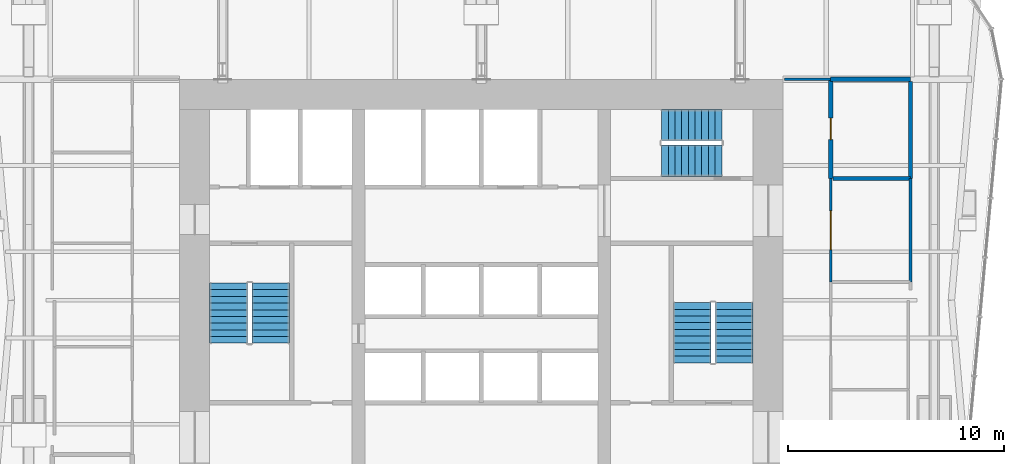
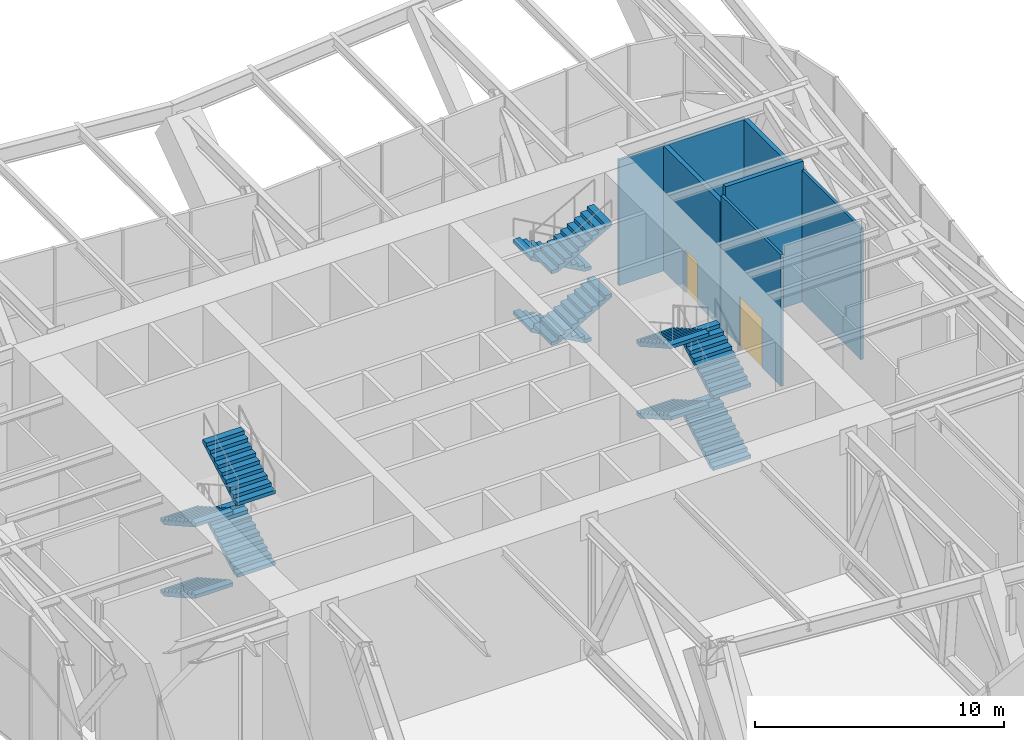
# One storey, part 14 of 17: 12 stair flights, 7 walls, 2 doors, 2 openings, 3 elements without a shape of their own.
"""IFC4 building model written with IfcOpenShell, lengths in metres."""

from ifc_helpers import new_model, si_unit, direction, frame, frame_2d, origin, place, context, subcontext, project, spatial, polyline, rectangle, outline, extrude, material, layer, layer_set, type_object, element, fill, aggregate, save


model = new_model("IFC4")

# Units and contexts
model_context = context("Model", 3, precision=1e-05, world=origin(), true_north=direction((0.0, 1.0)))
body_context = subcontext(model_context, "Body", "Model", "MODEL_VIEW")
ifc_project = project(units=[si_unit("LENGTHUNIT", "METRE"), si_unit("AREAUNIT", "SQUARE_METRE"), si_unit("VOLUMEUNIT", "CUBIC_METRE"), si_unit("PLANEANGLEUNIT", "RADIAN"), si_unit("MASSUNIT", "GRAM", prefix="KILO")], contexts=[model_context])

# Site, building, storey
site_placement = place(None, origin())
site = spatial("IfcSite", under=ifc_project, at=site_placement, CompositionType="ELEMENT")
building_placement = place(site_placement, origin())
building = spatial("IfcBuilding", under=site, at=building_placement, Name="Verdant Reach Tower", CompositionType="ELEMENT")
storey_placement = place(building_placement, frame((0.0, 0.0, 58.0)))
storey = spatial("IfcBuildingStorey", under=building, at=storey_placement, Name="L13 Plant", CompositionType="ELEMENT", Elevation=58.0)

# Wall, opening, door
ifc_material_1 = material(Name="Gypsum board on steel studs, fire rated", Category="steel")
ifc_layer_1 = layer(ifc_material_1, 0.125)
ifc_layer_set_1 = layer_set([ifc_layer_1], Name="SV-W2 Plant wall 125 EI 60")
wall_type_1 = type_object("IfcWallType", Name="SV-W2 Plant wall 125 EI 60", PredefinedType="PARTITIONING", material=ifc_layer_set_1)
wall_1_placement = place(storey_placement, frame((16.199951171875, 29.60009765625, 0.0), z_axis=(0.0, 0.0, 1.0), x_axis=(0.0, 1.0, 0.0)))
wall_1 = element("IfcWall", 1, at=wall_1_placement, inside=storey, type_object=wall_type_1, Name="Partition L13.04", PredefinedType="PARTITIONING", context=body_context, shape_type="SweptSolid", body=[
    extrude(rectangle(XDim=4.7998046875, YDim=0.125, at=frame_2d((2.39990234375, 0.0))), origin(), (0.0, 0.0, 1.0), 6.43994140625),
])
opening_1_placement = place(wall_1_placement, frame((1.5, 0.0, 0.0)))
opening_1 = element("IfcOpeningElement", 2, at=opening_1_placement, cuts=wall_1, Name="Opening SD3", PredefinedType="OPENING", context=body_context, shape_type="SweptSolid", body=[
    extrude(rectangle(XDim=1.800048828125, YDim=2.39990234375, at=frame_2d((0.89990234375, 1.199951171875))), frame((0.0, 0.072509765625, 0.0), z_axis=(0.0, -1.0, 0.0), x_axis=(1.0, 0.0, 0.0)), (0.0, 0.0, 1.0), 0.14501953125),
])
ifc_material_2 = material(Name="Steel door leaves, fire rated", Category="steel")
door_type_1 = type_object("IfcDoorType", Name="SV-D3 Equipment door 1800x2400 FD60", OperationType="DOUBLE_DOOR_SINGLE_SWING", PredefinedType="DOOR", material=ifc_material_2)
door_1_placement = place(opening_1_placement, origin())
door_1 = element("IfcDoor", 3, at=door_1_placement, inside=storey, type_object=door_type_1, Name="Door L13-004", OperationType="DOUBLE_DOOR_SINGLE_SWING", OverallHeight=2.39990234375, OverallWidth=1.800048828125, PredefinedType="DOOR", context=body_context, shape_type="SweptSolid", body=[
    extrude(rectangle(XDim=1.800048828125, YDim=2.39990234375, at=frame_2d((0.89990234375, 1.199951171875))), frame((0.0, 0.02490234375, 0.0), z_axis=(0.0, -1.0, 0.0), x_axis=(1.0, 0.0, 0.0)), (0.0, 0.0, 1.0), 0.050048828125),
])
fill(opening_1, door_1)

# Walls
wall_2_placement = place(storey_placement, frame((14.050048828125, 39.0, 0.0), z_axis=(0.0, 0.0, 1.0), x_axis=(1.0, 0.0, 0.0)))
element("IfcWall", 4, at=wall_2_placement, inside=storey, type_object=wall_type_1, Name="Partition L13.31", PredefinedType="PARTITIONING", context=body_context, shape_type="SweptSolid", body=[
    extrude(rectangle(XDim=2.14794921875, YDim=0.125, at=frame_2d((1.073974609375, 0.0))), origin(), (0.0, 0.0, 1.0), 6.139892578125),
])
wall_3_placement = place(storey_placement, frame((19.89990234375, 34.39794921875, 0.0), z_axis=(0.0, 0.0, 1.0), x_axis=(0.0, -1.0, 0.0)))
element("IfcWall", 5, at=wall_3_placement, inside=storey, type_object=wall_type_1, Name="Partition L13.37", PredefinedType="PARTITIONING", context=body_context, shape_type="SweptSolid", body=[
    extrude(rectangle(XDim=4.7958984375, YDim=0.125, at=frame_2d((2.39794921875, 0.0))), origin(), (0.0, 0.0, 1.0), 6.43994140625),
])

# Wall, opening, door
ifc_material_3 = material(Name="Calcium silicate board on steel studs, fire rated", Category="steel")
ifc_layer_2 = layer(ifc_material_3, 0.199951171875)
ifc_layer_set_2 = layer_set([ifc_layer_2], Name="SV-W3 Fire wall 200 EI 120")
wall_type_2 = type_object("IfcWallType", Name="SV-W3 Fire wall 200 EI 120", PredefinedType="PARTITIONING", material=ifc_layer_set_2)
wall_4_placement = place(storey_placement, frame((16.199951171875, 34.39990234375, 0.0), z_axis=(0.0, 0.0, 1.0), x_axis=(0.0, 1.0, 0.0)))
wall_4 = element("IfcWall", 6, at=wall_4_placement, inside=storey, type_object=wall_type_2, Name="Partition L13.05", PredefinedType="PARTITIONING", context=body_context, shape_type="SweptSolid", body=[
    extrude(rectangle(XDim=4.60009765625, YDim=0.199951171875, at=frame_2d((2.300048828125, 0.0))), origin(), (0.0, 0.0, 1.0), 6.139892578125),
])
opening_2_placement = place(wall_4_placement, frame((1.800048828125, 0.0, 0.0)))
opening_2 = element("IfcOpeningElement", 7, at=opening_2_placement, cuts=wall_4, Name="Opening SD4", PredefinedType="OPENING", context=body_context, shape_type="SweptSolid", body=[
    extrude(rectangle(XDim=1.0, YDim=2.10009765625, at=frame_2d((0.5, 1.050048828125))), frame((0.0, 0.10986328125, 0.0), z_axis=(0.0, -1.0, 0.0), x_axis=(1.0, 0.0, 0.0)), (0.0, 0.0, 1.0), 0.219970703125),
])
ifc_material_4 = material(Name="Steel door leaf, fire rated", Category="steel")
door_type_2 = type_object("IfcDoorType", Name="SV-D4 Door 1000x2100 FD120", OperationType="NOTDEFINED", PredefinedType="DOOR", material=ifc_material_4)
door_2_placement = place(opening_2_placement, origin())
door_2 = element("IfcDoor", 8, at=door_2_placement, inside=storey, type_object=door_type_2, Name="Door L13-005", OperationType="SINGLE_SWING_LEFT", OverallHeight=2.10009765625, OverallWidth=1.0, PredefinedType="DOOR", context=body_context, shape_type="SweptSolid", body=[
    extrude(rectangle(XDim=1.0, YDim=2.10009765625, at=frame_2d((0.5, 1.050048828125))), frame((0.0, 0.02490234375, 0.0), z_axis=(0.0, -1.0, 0.0), x_axis=(1.0, 0.0, 0.0)), (0.0, 0.0, 1.0), 0.050048828125),
])
fill(opening_2, door_2)

# Walls
wall_5_placement = place(storey_placement, frame((16.300048828125, 34.39990234375, 0.0), z_axis=(0.0, 0.0, 1.0), x_axis=(1.0, 0.0, 0.0)))
element("IfcWall", 9, at=wall_5_placement, inside=storey, type_object=wall_type_2, Name="Partition L13.13", PredefinedType="PARTITIONING", context=body_context, shape_type="SweptSolid", body=[
    extrude(rectangle(XDim=3.599853515625, YDim=0.199951171875, at=frame_2d((1.7998046875, 0.0))), origin(), (0.0, 0.0, 1.0), 6.8701171875),
])
wall_6_placement = place(storey_placement, frame((16.201904296875, 39.0, 0.0), z_axis=(0.0, 0.0, 1.0), x_axis=(1.0, 0.0, 0.0)))
element("IfcWall", 10, at=wall_6_placement, inside=storey, type_object=wall_type_2, Name="Partition L13.38", PredefinedType="PARTITIONING", context=body_context, shape_type="SweptSolid", body=[
    extrude(rectangle(XDim=3.697998046875, YDim=0.199951171875, at=frame_2d((1.84912109375, 0.0))), origin(), (0.0, 0.0, 1.0), 6.139892578125),
])
wall_7_placement = place(storey_placement, frame((19.89990234375, 38.89990234375, 0.0), z_axis=(0.0, 0.0, 1.0), x_axis=(0.0, -1.0, 0.0)))
element("IfcWall", 11, at=wall_7_placement, inside=storey, type_object=wall_type_2, Name="Partition L13.39", PredefinedType="PARTITIONING", context=body_context, shape_type="SweptSolid", body=[
    extrude(rectangle(XDim=4.497802734375, YDim=0.199951171875, at=frame_2d((2.2490234375, 0.0))), origin(), (0.0, 0.0, 1.0), 6.139892578125),
])

# Stair, stair flights
ifc_material_5 = material(Name="Concrete C40/50", Category="concrete")
stair_type = type_object("IfcStairType", Name="CO-STAIR", PredefinedType="HALF_TURN_STAIR", material=ifc_material_5)
stair_1_placement = place(storey_placement, origin())
stair_1 = element("IfcStair", 12, at=stair_1_placement, inside=storey, type_object=stair_type, Name="L13 Plant Exit stair 1", PredefinedType="HALF_TURN_STAIR")
stair_flight_type = type_object("IfcStairFlightType", Name="CO-STAIR-FLIGHT", PredefinedType="STRAIGHT", material=ifc_material_5)
stair_flight_1_placement = place(storey_placement, frame((-11.72509765625, 29.550048828125, 0.0), z_axis=(0.0, 0.0, 1.0), x_axis=(0.0, -1.0, 0.0)))
stair_flight_1 = element("IfcStairFlight", 13, at=stair_flight_1_placement, type_object=stair_flight_type, Name="ST-1 flight 1", NumberOfRisers=10, NumberOfTreads=9, PredefinedType="STRAIGHT", RiserHeight=0.175, TreadLength=0.31, context=body_context, shape_type="SweptSolid", body=[
    extrude(outline(polyline([(0.0, 0.0), (0.0, 0.175048828125), (0.31005859375, 0.175048828125), (0.31005859375, 0.35009765625), (0.6201171875, 0.35009765625), (0.6201171875, 0.52490234375), (0.929931640625, 0.52490234375), (0.929931640625, 0.699951171875), (1.239990234375, 0.699951171875), (1.239990234375, 0.875), (1.550048828125, 0.875), (1.550048828125, 1.050048828125), (1.860107421875, 1.050048828125), (1.860107421875, 1.22509765625), (2.169921875, 1.22509765625), (2.169921875, 1.39990234375), (2.47998046875, 1.39990234375), (2.47998046875, 1.574951171875), (2.7900390625, 1.574951171875), (2.7900390625, 1.75), (2.7900390625, 1.40283203125), (0.304931640625, 0.0), (0.0, 0.0)])), frame((0.0, 0.875, 0.0), z_axis=(0.0, -1.0, 0.0), x_axis=(1.0, 0.0, 0.0)), (0.0, 0.0, 1.0), 1.75),
])
stair_flight_2_placement = place(storey_placement, frame((-9.77490234375, 26.760009765625, 1.75), z_axis=(0.0, 0.0, 1.0), x_axis=(0.0, 1.0, 0.0)))
stair_flight_2 = element("IfcStairFlight", 14, at=stair_flight_2_placement, type_object=stair_flight_type, Name="ST-1 flight 2", NumberOfRisers=10, NumberOfTreads=9, PredefinedType="STRAIGHT", RiserHeight=0.175, TreadLength=0.31, context=body_context, shape_type="SweptSolid", body=[
    extrude(outline(polyline([(0.0, 0.0), (0.0, 0.175048828125), (0.31005859375, 0.175048828125), (0.31005859375, 0.35009765625), (0.6201171875, 0.35009765625), (0.6201171875, 0.52490234375), (0.929931640625, 0.52490234375), (0.929931640625, 0.699951171875), (1.239990234375, 0.699951171875), (1.239990234375, 0.875), (1.550048828125, 0.875), (1.550048828125, 1.050048828125), (1.860107421875, 1.050048828125), (1.860107421875, 1.22509765625), (2.169921875, 1.22509765625), (2.169921875, 1.39990234375), (2.47998046875, 1.39990234375), (2.47998046875, 1.574951171875), (2.7900390625, 1.574951171875), (2.7900390625, 1.75), (2.7900390625, 1.40283203125), (0.304931640625, 0.0), (0.0, 0.0)])), frame((0.0, 0.875, 0.0), z_axis=(0.0, -1.0, 0.0), x_axis=(1.0, 0.0, 0.0)), (0.0, 0.0, 1.0), 1.75),
])
stair_flight_3_placement = place(storey_placement, frame((-11.72509765625, 29.550048828125, 3.5), z_axis=(0.0, 0.0, 1.0), x_axis=(0.0, -1.0, 0.0)))
stair_flight_3 = element("IfcStairFlight", 15, at=stair_flight_3_placement, type_object=stair_flight_type, Name="ST-1 flight 3", NumberOfRisers=10, NumberOfTreads=9, PredefinedType="STRAIGHT", RiserHeight=0.175, TreadLength=0.31, context=body_context, shape_type="SweptSolid", body=[
    extrude(outline(polyline([(0.0, 0.0), (0.0, 0.175048828125), (0.31005859375, 0.175048828125), (0.31005859375, 0.35009765625), (0.6201171875, 0.35009765625), (0.6201171875, 0.52490234375), (0.929931640625, 0.52490234375), (0.929931640625, 0.699951171875), (1.239990234375, 0.699951171875), (1.239990234375, 0.875), (1.550048828125, 0.875), (1.550048828125, 1.050048828125), (1.860107421875, 1.050048828125), (1.860107421875, 1.22509765625), (2.169921875, 1.22509765625), (2.169921875, 1.39990234375), (2.47998046875, 1.39990234375), (2.47998046875, 1.574951171875), (2.7900390625, 1.574951171875), (2.7900390625, 1.75), (2.7900390625, 1.40283203125), (0.304931640625, 0.0), (0.0, 0.0)])), frame((0.0, 0.875, 0.0), z_axis=(0.0, -1.0, 0.0), x_axis=(1.0, 0.0, 0.0)), (0.0, 0.0, 1.0), 1.75),
])
stair_flight_4_placement = place(storey_placement, frame((-9.77490234375, 26.760009765625, 5.25), z_axis=(0.0, 0.0, 1.0), x_axis=(0.0, 1.0, 0.0)))
stair_flight_4 = element("IfcStairFlight", 16, at=stair_flight_4_placement, type_object=stair_flight_type, Name="ST-1 flight 4", NumberOfRisers=10, NumberOfTreads=9, PredefinedType="STRAIGHT", RiserHeight=0.175, TreadLength=0.31, context=body_context, shape_type="SweptSolid", body=[
    extrude(outline(polyline([(0.0, 0.0), (0.0, 0.175048828125), (0.31005859375, 0.175048828125), (0.31005859375, 0.35009765625), (0.6201171875, 0.35009765625), (0.6201171875, 0.52490234375), (0.929931640625, 0.52490234375), (0.929931640625, 0.699951171875), (1.239990234375, 0.699951171875), (1.239990234375, 0.875), (1.550048828125, 0.875), (1.550048828125, 1.050048828125), (1.860107421875, 1.050048828125), (1.860107421875, 1.22509765625), (2.169921875, 1.22509765625), (2.169921875, 1.39990234375), (2.47998046875, 1.39990234375), (2.47998046875, 1.574951171875), (2.7900390625, 1.574951171875), (2.7900390625, 1.75), (2.7900390625, 1.40283203125), (0.304931640625, 0.0), (0.0, 0.0)])), frame((0.0, 0.875, 0.0), z_axis=(0.0, -1.0, 0.0), x_axis=(1.0, 0.0, 0.0)), (0.0, 0.0, 1.0), 1.75),
])
aggregate(stair_1, [stair_flight_1, stair_flight_2, stair_flight_3, stair_flight_4])

stair_2_placement = place(storey_placement, origin())
stair_2 = element("IfcStair", 17, at=stair_2_placement, inside=storey, type_object=stair_type, Name="L13 Plant Exit stair 2", PredefinedType="HALF_TURN_STAIR")
stair_flight_5_placement = place(storey_placement, frame((11.72509765625, 25.85009765625, 0.0), z_axis=(0.0, 0.0, 1.0), x_axis=(0.0, 1.0, 0.0)))
stair_flight_5 = element("IfcStairFlight", 18, at=stair_flight_5_placement, type_object=stair_flight_type, Name="ST-2 flight 1", NumberOfRisers=10, NumberOfTreads=9, PredefinedType="STRAIGHT", RiserHeight=0.175, TreadLength=0.31, context=body_context, shape_type="SweptSolid", body=[
    extrude(outline(polyline([(0.0, 0.0), (0.0, 0.175048828125), (0.31005859375, 0.175048828125), (0.31005859375, 0.35009765625), (0.6201171875, 0.35009765625), (0.6201171875, 0.52490234375), (0.929931640625, 0.52490234375), (0.929931640625, 0.699951171875), (1.239990234375, 0.699951171875), (1.239990234375, 0.875), (1.550048828125, 0.875), (1.550048828125, 1.050048828125), (1.860107421875, 1.050048828125), (1.860107421875, 1.22509765625), (2.169921875, 1.22509765625), (2.169921875, 1.39990234375), (2.47998046875, 1.39990234375), (2.47998046875, 1.574951171875), (2.7900390625, 1.574951171875), (2.7900390625, 1.75), (2.7900390625, 1.40283203125), (0.304931640625, 0.0), (0.0, 0.0)])), frame((0.0, 0.875, 0.0), z_axis=(0.0, -1.0, 0.0), x_axis=(1.0, 0.0, 0.0)), (0.0, 0.0, 1.0), 1.75),
])
stair_flight_6_placement = place(storey_placement, frame((9.77490234375, 28.639892578125, 1.75), z_axis=(0.0, 0.0, 1.0), x_axis=(0.0, -1.0, 0.0)))
stair_flight_6 = element("IfcStairFlight", 19, at=stair_flight_6_placement, type_object=stair_flight_type, Name="ST-2 flight 2", NumberOfRisers=10, NumberOfTreads=9, PredefinedType="STRAIGHT", RiserHeight=0.175, TreadLength=0.31, context=body_context, shape_type="SweptSolid", body=[
    extrude(outline(polyline([(0.0, 0.0), (0.0, 0.175048828125), (0.31005859375, 0.175048828125), (0.31005859375, 0.35009765625), (0.6201171875, 0.35009765625), (0.6201171875, 0.52490234375), (0.929931640625, 0.52490234375), (0.929931640625, 0.699951171875), (1.239990234375, 0.699951171875), (1.239990234375, 0.875), (1.550048828125, 0.875), (1.550048828125, 1.050048828125), (1.860107421875, 1.050048828125), (1.860107421875, 1.22509765625), (2.169921875, 1.22509765625), (2.169921875, 1.39990234375), (2.47998046875, 1.39990234375), (2.47998046875, 1.574951171875), (2.7900390625, 1.574951171875), (2.7900390625, 1.75), (2.7900390625, 1.40283203125), (0.304931640625, 0.0), (0.0, 0.0)])), frame((0.0, 0.875, 0.0), z_axis=(0.0, -1.0, 0.0), x_axis=(1.0, 0.0, 0.0)), (0.0, 0.0, 1.0), 1.75),
])
stair_flight_7_placement = place(storey_placement, frame((11.72509765625, 25.85009765625, 3.5), z_axis=(0.0, 0.0, 1.0), x_axis=(0.0, 1.0, 0.0)))
stair_flight_7 = element("IfcStairFlight", 20, at=stair_flight_7_placement, type_object=stair_flight_type, Name="ST-2 flight 3", NumberOfRisers=10, NumberOfTreads=9, PredefinedType="STRAIGHT", RiserHeight=0.175, TreadLength=0.31, context=body_context, shape_type="SweptSolid", body=[
    extrude(outline(polyline([(0.0, 0.0), (0.0, 0.175048828125), (0.31005859375, 0.175048828125), (0.31005859375, 0.35009765625), (0.6201171875, 0.35009765625), (0.6201171875, 0.52490234375), (0.929931640625, 0.52490234375), (0.929931640625, 0.699951171875), (1.239990234375, 0.699951171875), (1.239990234375, 0.875), (1.550048828125, 0.875), (1.550048828125, 1.050048828125), (1.860107421875, 1.050048828125), (1.860107421875, 1.22509765625), (2.169921875, 1.22509765625), (2.169921875, 1.39990234375), (2.47998046875, 1.39990234375), (2.47998046875, 1.574951171875), (2.7900390625, 1.574951171875), (2.7900390625, 1.75), (2.7900390625, 1.40283203125), (0.304931640625, 0.0), (0.0, 0.0)])), frame((0.0, 0.875, 0.0), z_axis=(0.0, -1.0, 0.0), x_axis=(1.0, 0.0, 0.0)), (0.0, 0.0, 1.0), 1.75),
])
stair_flight_8_placement = place(storey_placement, frame((9.77490234375, 28.639892578125, 5.25), z_axis=(0.0, 0.0, 1.0), x_axis=(0.0, -1.0, 0.0)))
stair_flight_8 = element("IfcStairFlight", 21, at=stair_flight_8_placement, type_object=stair_flight_type, Name="ST-2 flight 4", NumberOfRisers=10, NumberOfTreads=9, PredefinedType="STRAIGHT", RiserHeight=0.175, TreadLength=0.31, context=body_context, shape_type="SweptSolid", body=[
    extrude(outline(polyline([(0.0, 0.0), (0.0, 0.175048828125), (0.31005859375, 0.175048828125), (0.31005859375, 0.35009765625), (0.6201171875, 0.35009765625), (0.6201171875, 0.52490234375), (0.929931640625, 0.52490234375), (0.929931640625, 0.699951171875), (1.239990234375, 0.699951171875), (1.239990234375, 0.875), (1.550048828125, 0.875), (1.550048828125, 1.050048828125), (1.860107421875, 1.050048828125), (1.860107421875, 1.22509765625), (2.169921875, 1.22509765625), (2.169921875, 1.39990234375), (2.47998046875, 1.39990234375), (2.47998046875, 1.574951171875), (2.7900390625, 1.574951171875), (2.7900390625, 1.75), (2.7900390625, 1.40283203125), (0.304931640625, 0.0), (0.0, 0.0)])), frame((0.0, 0.875, 0.0), z_axis=(0.0, -1.0, 0.0), x_axis=(1.0, 0.0, 0.0)), (0.0, 0.0, 1.0), 1.75),
])
aggregate(stair_2, [stair_flight_5, stair_flight_6, stair_flight_7, stair_flight_8])

stair_3_placement = place(storey_placement, origin())
stair_3 = element("IfcStair", 22, at=stair_3_placement, inside=storey, type_object=stair_type, Name="L13 Plant Exit stair 3", PredefinedType="HALF_TURN_STAIR")
stair_flight_9_placement = place(storey_placement, frame((11.14990234375, 36.875, 0.0), z_axis=(0.0, 0.0, 1.0), x_axis=(-1.0, 0.0, 0.0)))
stair_flight_9 = element("IfcStairFlight", 23, at=stair_flight_9_placement, type_object=stair_flight_type, Name="ST-3 flight 1", NumberOfRisers=10, NumberOfTreads=9, PredefinedType="STRAIGHT", RiserHeight=0.175, TreadLength=0.31, context=body_context, shape_type="SweptSolid", body=[
    extrude(outline(polyline([(0.0, 0.0), (0.0, 0.175048828125), (0.31005859375, 0.175048828125), (0.31005859375, 0.35009765625), (0.6201171875, 0.35009765625), (0.6201171875, 0.52490234375), (0.929931640625, 0.52490234375), (0.929931640625, 0.699951171875), (1.239990234375, 0.699951171875), (1.239990234375, 0.875), (1.550048828125, 0.875), (1.550048828125, 1.050048828125), (1.860107421875, 1.050048828125), (1.860107421875, 1.22509765625), (2.169921875, 1.22509765625), (2.169921875, 1.39990234375), (2.47998046875, 1.39990234375), (2.47998046875, 1.574951171875), (2.7900390625, 1.574951171875), (2.7900390625, 1.75), (2.7900390625, 1.40283203125), (0.304931640625, 0.0), (0.0, 0.0)])), frame((0.0, 0.72509765625, 0.0), z_axis=(0.0, -1.0, 0.0), x_axis=(1.0, 0.0, 0.0)), (0.0, 0.0, 1.0), 1.449951171875),
])
stair_flight_10_placement = place(storey_placement, frame((8.360107421875, 35.22509765625, 1.75), z_axis=(0.0, 0.0, 1.0), x_axis=(1.0, 0.0, 0.0)))
stair_flight_10 = element("IfcStairFlight", 24, at=stair_flight_10_placement, type_object=stair_flight_type, Name="ST-3 flight 2", NumberOfRisers=10, NumberOfTreads=9, PredefinedType="STRAIGHT", RiserHeight=0.175, TreadLength=0.31, context=body_context, shape_type="SweptSolid", body=[
    extrude(outline(polyline([(0.0, 0.0), (0.0, 0.175048828125), (0.31005859375, 0.175048828125), (0.31005859375, 0.35009765625), (0.6201171875, 0.35009765625), (0.6201171875, 0.52490234375), (0.929931640625, 0.52490234375), (0.929931640625, 0.699951171875), (1.239990234375, 0.699951171875), (1.239990234375, 0.875), (1.550048828125, 0.875), (1.550048828125, 1.050048828125), (1.860107421875, 1.050048828125), (1.860107421875, 1.22509765625), (2.169921875, 1.22509765625), (2.169921875, 1.39990234375), (2.47998046875, 1.39990234375), (2.47998046875, 1.574951171875), (2.7900390625, 1.574951171875), (2.7900390625, 1.75), (2.7900390625, 1.40283203125), (0.304931640625, 0.0), (0.0, 0.0)])), frame((0.0, 0.72509765625, 0.0), z_axis=(0.0, -1.0, 0.0), x_axis=(1.0, 0.0, 0.0)), (0.0, 0.0, 1.0), 1.449951171875),
])
stair_flight_11_placement = place(storey_placement, frame((11.14990234375, 36.875, 3.5), z_axis=(0.0, 0.0, 1.0), x_axis=(-1.0, 0.0, 0.0)))
stair_flight_11 = element("IfcStairFlight", 25, at=stair_flight_11_placement, type_object=stair_flight_type, Name="ST-3 flight 3", NumberOfRisers=10, NumberOfTreads=9, PredefinedType="STRAIGHT", RiserHeight=0.175, TreadLength=0.31, context=body_context, shape_type="SweptSolid", body=[
    extrude(outline(polyline([(0.0, 0.0), (0.0, 0.175048828125), (0.31005859375, 0.175048828125), (0.31005859375, 0.35009765625), (0.6201171875, 0.35009765625), (0.6201171875, 0.52490234375), (0.929931640625, 0.52490234375), (0.929931640625, 0.699951171875), (1.239990234375, 0.699951171875), (1.239990234375, 0.875), (1.550048828125, 0.875), (1.550048828125, 1.050048828125), (1.860107421875, 1.050048828125), (1.860107421875, 1.22509765625), (2.169921875, 1.22509765625), (2.169921875, 1.39990234375), (2.47998046875, 1.39990234375), (2.47998046875, 1.574951171875), (2.7900390625, 1.574951171875), (2.7900390625, 1.75), (2.7900390625, 1.40283203125), (0.304931640625, 0.0), (0.0, 0.0)])), frame((0.0, 0.72509765625, 0.0), z_axis=(0.0, -1.0, 0.0), x_axis=(1.0, 0.0, 0.0)), (0.0, 0.0, 1.0), 1.449951171875),
])
stair_flight_12_placement = place(storey_placement, frame((8.360107421875, 35.22509765625, 5.25), z_axis=(0.0, 0.0, 1.0), x_axis=(1.0, 0.0, 0.0)))
stair_flight_12 = element("IfcStairFlight", 26, at=stair_flight_12_placement, type_object=stair_flight_type, Name="ST-3 flight 4", NumberOfRisers=10, NumberOfTreads=9, PredefinedType="STRAIGHT", RiserHeight=0.175, TreadLength=0.31, context=body_context, shape_type="SweptSolid", body=[
    extrude(outline(polyline([(0.0, 0.0), (0.0, 0.175048828125), (0.31005859375, 0.175048828125), (0.31005859375, 0.35009765625), (0.6201171875, 0.35009765625), (0.6201171875, 0.52490234375), (0.929931640625, 0.52490234375), (0.929931640625, 0.699951171875), (1.239990234375, 0.699951171875), (1.239990234375, 0.875), (1.550048828125, 0.875), (1.550048828125, 1.050048828125), (1.860107421875, 1.050048828125), (1.860107421875, 1.22509765625), (2.169921875, 1.22509765625), (2.169921875, 1.39990234375), (2.47998046875, 1.39990234375), (2.47998046875, 1.574951171875), (2.7900390625, 1.574951171875), (2.7900390625, 1.75), (2.7900390625, 1.40283203125), (0.304931640625, 0.0), (0.0, 0.0)])), frame((0.0, 0.72509765625, 0.0), z_axis=(0.0, -1.0, 0.0), x_axis=(1.0, 0.0, 0.0)), (0.0, 0.0, 1.0), 1.449951171875),
])
aggregate(stair_3, [stair_flight_9, stair_flight_10, stair_flight_11, stair_flight_12])

save(model, "model.ifc")
